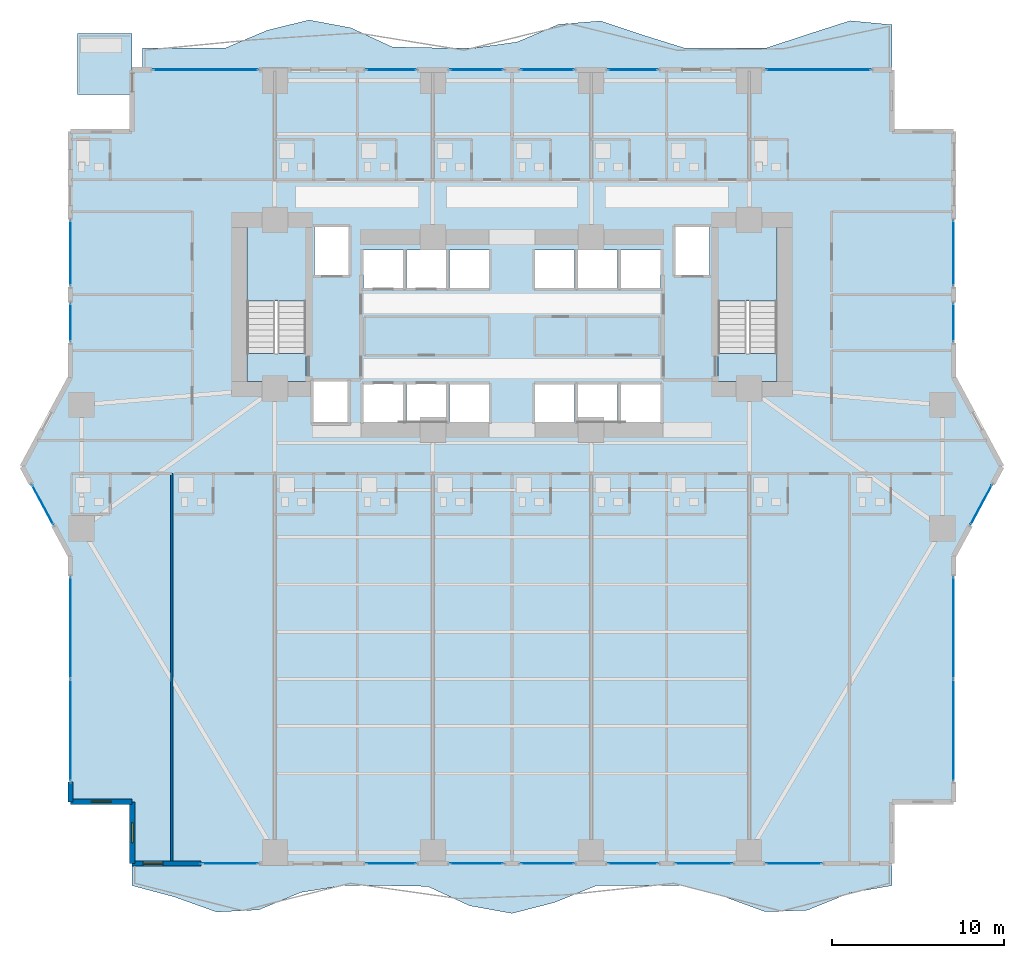
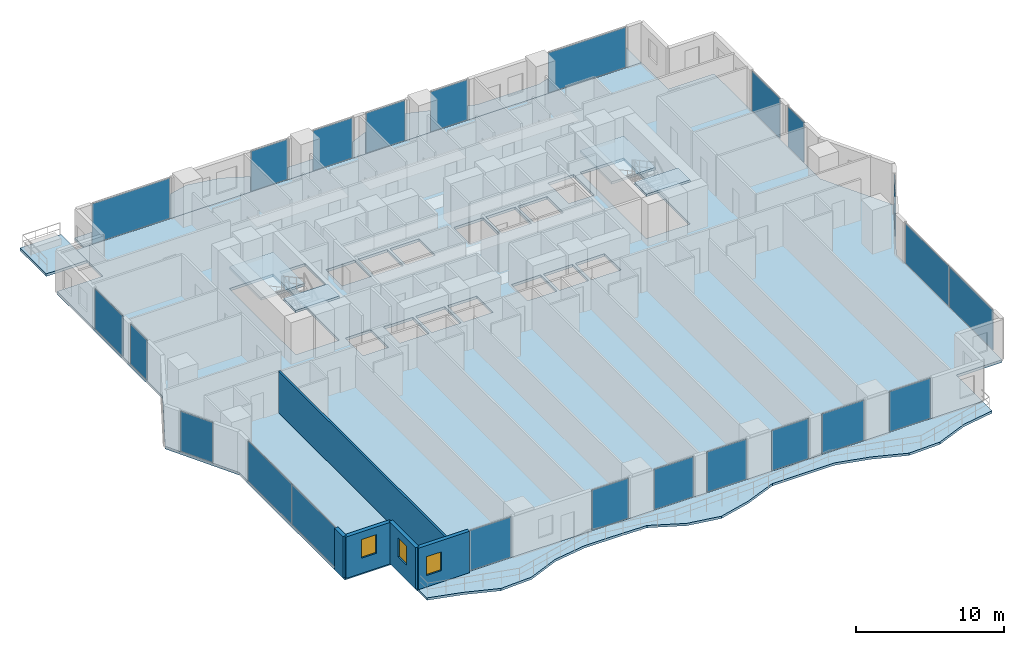
# One storey, part 18 of 29: 23 plates, 8 slabs, 5 walls, 3 windows, 3 openings, 23 elements without a shape of their own.
"""IFC4 building model written with IfcOpenShell, lengths in metres."""

from ifc_helpers import new_model, si_unit, direction, frame, frame_2d, origin, origin_2d, place, context, subcontext, project, spatial, polyline, rectangle, outline, extrude, material, layer, layer_set, type_object, element, fill, aggregate, save


model = new_model("IFC4")

# Units and contexts
model_context = context("Model", 3, precision=1e-05, world=origin(), true_north=direction((0.0, 1.0)))
body_context = subcontext(model_context, "Body", "Model", "MODEL_VIEW")
ifc_project = project(units=[si_unit("LENGTHUNIT", "METRE"), si_unit("AREAUNIT", "SQUARE_METRE"), si_unit("VOLUMEUNIT", "CUBIC_METRE"), si_unit("PLANEANGLEUNIT", "RADIAN"), si_unit("MASSUNIT", "GRAM", prefix="KILO")], contexts=[model_context])

# Site, building, storey
site_placement = place(None, origin())
site = spatial("IfcSite", under=ifc_project, at=site_placement, CompositionType="ELEMENT")
building_placement = place(site_placement, origin())
building = spatial("IfcBuilding", under=site, at=building_placement, Name="Zuhayl Quay Hotel", CompositionType="ELEMENT")
storey_placement = place(building_placement, frame((0.0, 0.0, 60.449951171875)))
storey = spatial("IfcBuildingStorey", under=building, at=storey_placement, Name="L14", CompositionType="ELEMENT", Elevation=60.449951171875)

# Curtain wall, plates
ifc_material_1 = material(Name="Anodised Aluminium 6063-T6", Category="aluminium")
ifc_layer_1 = layer(ifc_material_1, 0.18994140625, Name="Anodised Aluminium 6063-T6", Category="aluminium")
ifc_layer_set_1 = layer_set([ifc_layer_1], Name="Anodised Aluminium 6063-T6")
curtain_wall_type = type_object("IfcCurtainWallType", Name="CW_SYS_Z1", PredefinedType="USERDEFINED", material=ifc_layer_set_1)
curtain_wall_1_placement = place(storey_placement, origin())
curtain_wall_1 = element("IfcCurtainWall", 1, at=curtain_wall_1_placement, inside=storey, type_object=curtain_wall_type, Name="L14 Curtain Wall ENV_L14_E02_CW1", ObjectType="UNITISED CURTAIN WALL", PredefinedType="USERDEFINED")
ifc_material_2 = material(Name="Dark Ceramic-Fritted Solar Glass", Category="glass")
ifc_layer_2 = layer(ifc_material_2, 0.035888671875, Name="Dark Ceramic-Fritted Solar Glass", Category="glass")
ifc_layer_set_2 = layer_set([ifc_layer_2], Name="Dark Ceramic-Fritted Solar Glass")
plate_type = type_object("IfcPlateType", Name="PN_DARK_FRIT_Z1", PredefinedType="CURTAIN_PANEL", material=ifc_layer_set_2)
plate_1_placement = place(storey_placement, frame((-25.699951171875, -15.331298828125, 0.06005859375), z_axis=(0.0, 0.0, 1.0), x_axis=(0.0, 1.0, 0.0)))
plate_1 = element("IfcPlate", 2, at=plate_1_placement, type_object=plate_type, Name="CW-Z1 panel 1.1", PredefinedType="CURTAIN_PANEL", context=body_context, shape_type="SweptSolid", body=[
    extrude(rectangle(XDim=5.887451171875, YDim=0.035888671875, at=origin_2d()), origin(), (0.0, 0.0, 1.0), 3.31005859375),
])
plate_2_placement = place(storey_placement, frame((-25.699951171875, -9.36865234375, 0.06005859375), z_axis=(0.0, 0.0, 1.0), x_axis=(0.0, 1.0, 0.0)))
plate_2 = element("IfcPlate", 3, at=plate_2_placement, type_object=plate_type, Name="CW-Z1 panel 2.1", PredefinedType="CURTAIN_PANEL", context=body_context, shape_type="SweptSolid", body=[
    extrude(rectangle(XDim=5.887451171875, YDim=0.035888671875, at=origin_2d()), origin(), (0.0, 0.0, 1.0), 3.31005859375),
])
aggregate(curtain_wall_1, [plate_1, plate_2])

# Curtain wall, plate
curtain_wall_2_placement = place(storey_placement, origin())
curtain_wall_2 = element("IfcCurtainWall", 4, at=curtain_wall_2_placement, inside=storey, type_object=curtain_wall_type, Name="L14 Curtain Wall ENV_L14_E03_CW1", ObjectType="UNITISED CURTAIN WALL", PredefinedType="USERDEFINED")
plate_3_placement = place(storey_placement, frame((-27.306396484375, -2.216796875, 0.06005859375), z_axis=(0.0, 0.0, 1.0), x_axis=(-0.474091102632, 0.880475795468, 0.0)))
plate_3 = element("IfcPlate", 5, at=plate_3_placement, type_object=plate_type, Name="CW-Z1 panel 1.1", PredefinedType="CURTAIN_PANEL", context=body_context, shape_type="SweptSolid", body=[
    extrude(rectangle(XDim=2.58544921875, YDim=0.035888671875, at=origin_2d()), origin(), (0.0, 0.0, 1.0), 3.31005859375),
])
aggregate(curtain_wall_2, [plate_3])

curtain_wall_3_placement = place(storey_placement, origin())
curtain_wall_3 = element("IfcCurtainWall", 6, at=curtain_wall_3_placement, inside=storey, type_object=curtain_wall_type, Name="L14 Curtain Wall ENV_L14_E05_CW1", ObjectType="UNITISED CURTAIN WALL", PredefinedType="USERDEFINED")
plate_4_placement = place(storey_placement, frame((-25.699951171875, 8.385009765625, 0.06005859375), z_axis=(0.0, 0.0, 1.0), x_axis=(0.0, 1.0, 0.0)))
plate_4 = element("IfcPlate", 7, at=plate_4_placement, type_object=plate_type, Name="CW-Z1 panel 1.1", PredefinedType="CURTAIN_PANEL", context=body_context, shape_type="SweptSolid", body=[
    extrude(rectangle(XDim=2.219970703125, YDim=0.035888671875, at=origin_2d()), origin(), (0.0, 0.0, 1.0), 3.31005859375),
])
aggregate(curtain_wall_3, [plate_4])

curtain_wall_4_placement = place(storey_placement, origin())
curtain_wall_4 = element("IfcCurtainWall", 8, at=curtain_wall_4_placement, inside=storey, type_object=curtain_wall_type, Name="L14 Curtain Wall ENV_L14_E05_CW2", ObjectType="UNITISED CURTAIN WALL", PredefinedType="USERDEFINED")
plate_5_placement = place(storey_placement, frame((-25.699951171875, 12.43505859375, 0.06005859375), z_axis=(0.0, 0.0, 1.0), x_axis=(0.0, 1.0, 0.0)))
plate_5 = element("IfcPlate", 9, at=plate_5_placement, type_object=plate_type, Name="CW-Z1 panel 1.1", PredefinedType="CURTAIN_PANEL", context=body_context, shape_type="SweptSolid", body=[
    extrude(rectangle(XDim=3.780029296875, YDim=0.035888671875, at=origin_2d()), origin(), (0.0, 0.0, 1.0), 3.31005859375),
])
aggregate(curtain_wall_4, [plate_5])

curtain_wall_5_placement = place(storey_placement, origin())
curtain_wall_5 = element("IfcCurtainWall", 10, at=curtain_wall_5_placement, inside=storey, type_object=curtain_wall_type, Name="L14 Curtain Wall ENV_L14_N_CW1", ObjectType="UNITISED CURTAIN WALL", PredefinedType="USERDEFINED")
plate_6_placement = place(storey_placement, frame((-17.8349609375, 23.10009765625, 0.06005859375), z_axis=(0.0, 0.0, 1.0), x_axis=(1.0, 0.0, 0.0)))
plate_6 = element("IfcPlate", 11, at=plate_6_placement, type_object=plate_type, Name="CW-Z1 panel 1.1", PredefinedType="CURTAIN_PANEL", context=body_context, shape_type="SweptSolid", body=[
    extrude(rectangle(XDim=6.080078125, YDim=0.035888671875, at=origin_2d()), origin(), (0.0, 0.0, 1.0), 3.31005859375),
])
aggregate(curtain_wall_5, [plate_6])

curtain_wall_6_placement = place(storey_placement, origin())
curtain_wall_6 = element("IfcCurtainWall", 12, at=curtain_wall_6_placement, inside=storey, type_object=curtain_wall_type, Name="L14 Curtain Wall ENV_L14_N_CW2", ObjectType="UNITISED CURTAIN WALL", PredefinedType="USERDEFINED")
plate_7_placement = place(storey_placement, frame((-7.034912109375, 23.10009765625, 0.06005859375), z_axis=(0.0, 0.0, 1.0), x_axis=(1.0, 0.0, 0.0)))
plate_7 = element("IfcPlate", 13, at=plate_7_placement, type_object=plate_type, Name="CW-Z1 panel 1.1", PredefinedType="CURTAIN_PANEL", context=body_context, shape_type="SweptSolid", body=[
    extrude(rectangle(XDim=2.8798828125, YDim=0.035888671875, at=origin_2d()), origin(), (0.0, 0.0, 1.0), 3.31005859375),
])
aggregate(curtain_wall_6, [plate_7])

curtain_wall_7_placement = place(storey_placement, origin())
curtain_wall_7 = element("IfcCurtainWall", 14, at=curtain_wall_7_placement, inside=storey, type_object=curtain_wall_type, Name="L14 Curtain Wall ENV_L14_N_CW3", ObjectType="UNITISED CURTAIN WALL", PredefinedType="USERDEFINED")
plate_8_placement = place(storey_placement, frame((-2.06494140625, 23.10009765625, 0.06005859375), z_axis=(0.0, 0.0, 1.0), x_axis=(1.0, 0.0, 0.0)))
plate_8 = element("IfcPlate", 15, at=plate_8_placement, type_object=plate_type, Name="CW-Z1 panel 1.1", PredefinedType="CURTAIN_PANEL", context=body_context, shape_type="SweptSolid", body=[
    extrude(rectangle(XDim=3.080078125, YDim=0.035888671875, at=origin_2d()), origin(), (0.0, 0.0, 1.0), 3.31005859375),
])
aggregate(curtain_wall_7, [plate_8])

curtain_wall_8_placement = place(storey_placement, origin())
curtain_wall_8 = element("IfcCurtainWall", 16, at=curtain_wall_8_placement, inside=storey, type_object=curtain_wall_type, Name="L14 Curtain Wall ENV_L14_N_CW4", ObjectType="UNITISED CURTAIN WALL", PredefinedType="USERDEFINED")
plate_9_placement = place(storey_placement, frame((2.06494140625, 23.10009765625, 0.06005859375), z_axis=(0.0, 0.0, 1.0), x_axis=(1.0, 0.0, 0.0)))
plate_9 = element("IfcPlate", 17, at=plate_9_placement, type_object=plate_type, Name="CW-Z1 panel 1.1", PredefinedType="CURTAIN_PANEL", context=body_context, shape_type="SweptSolid", body=[
    extrude(rectangle(XDim=3.080078125, YDim=0.035888671875, at=origin_2d()), origin(), (0.0, 0.0, 1.0), 3.31005859375),
])
aggregate(curtain_wall_8, [plate_9])

curtain_wall_9_placement = place(storey_placement, origin())
curtain_wall_9 = element("IfcCurtainWall", 18, at=curtain_wall_9_placement, inside=storey, type_object=curtain_wall_type, Name="L14 Curtain Wall ENV_L14_N_CW5", ObjectType="UNITISED CURTAIN WALL", PredefinedType="USERDEFINED")
plate_10_placement = place(storey_placement, frame((7.034912109375, 23.10009765625, 0.06005859375), z_axis=(0.0, 0.0, 1.0), x_axis=(1.0, 0.0, 0.0)))
plate_10 = element("IfcPlate", 19, at=plate_10_placement, type_object=plate_type, Name="CW-Z1 panel 1.1", PredefinedType="CURTAIN_PANEL", context=body_context, shape_type="SweptSolid", body=[
    extrude(rectangle(XDim=2.8798828125, YDim=0.035888671875, at=origin_2d()), origin(), (0.0, 0.0, 1.0), 3.31005859375),
])
aggregate(curtain_wall_9, [plate_10])

curtain_wall_10_placement = place(storey_placement, origin())
curtain_wall_10 = element("IfcCurtainWall", 20, at=curtain_wall_10_placement, inside=storey, type_object=curtain_wall_type, Name="L14 Curtain Wall ENV_L14_N_CW6", ObjectType="UNITISED CURTAIN WALL", PredefinedType="USERDEFINED")
plate_11_placement = place(storey_placement, frame((17.8349609375, 23.10009765625, 0.06005859375), z_axis=(0.0, 0.0, 1.0), x_axis=(1.0, 0.0, 0.0)))
plate_11 = element("IfcPlate", 21, at=plate_11_placement, type_object=plate_type, Name="CW-Z1 panel 1.1", PredefinedType="CURTAIN_PANEL", context=body_context, shape_type="SweptSolid", body=[
    extrude(rectangle(XDim=6.080078125, YDim=0.035888671875, at=origin_2d()), origin(), (0.0, 0.0, 1.0), 3.31005859375),
])
aggregate(curtain_wall_10, [plate_11])

curtain_wall_11_placement = place(storey_placement, origin())
curtain_wall_11 = element("IfcCurtainWall", 22, at=curtain_wall_11_placement, inside=storey, type_object=curtain_wall_type, Name="L14 Curtain Wall ENV_L14_E11_CW1", ObjectType="UNITISED CURTAIN WALL", PredefinedType="USERDEFINED")
plate_12_placement = place(storey_placement, frame((25.699951171875, 12.43505859375, 0.06005859375), z_axis=(0.0, 0.0, 1.0), x_axis=(0.0, -1.0, 0.0)))
plate_12 = element("IfcPlate", 23, at=plate_12_placement, type_object=plate_type, Name="CW-Z1 panel 1.1", PredefinedType="CURTAIN_PANEL", context=body_context, shape_type="SweptSolid", body=[
    extrude(rectangle(XDim=3.780029296875, YDim=0.035888671875, at=origin_2d()), origin(), (0.0, 0.0, 1.0), 3.31005859375),
])
aggregate(curtain_wall_11, [plate_12])

curtain_wall_12_placement = place(storey_placement, origin())
curtain_wall_12 = element("IfcCurtainWall", 24, at=curtain_wall_12_placement, inside=storey, type_object=curtain_wall_type, Name="L14 Curtain Wall ENV_L14_E11_CW2", ObjectType="UNITISED CURTAIN WALL", PredefinedType="USERDEFINED")
plate_13_placement = place(storey_placement, frame((25.699951171875, 8.385009765625, 0.06005859375), z_axis=(0.0, 0.0, 1.0), x_axis=(0.0, -1.0, 0.0)))
plate_13 = element("IfcPlate", 25, at=plate_13_placement, type_object=plate_type, Name="CW-Z1 panel 1.1", PredefinedType="CURTAIN_PANEL", context=body_context, shape_type="SweptSolid", body=[
    extrude(rectangle(XDim=2.219970703125, YDim=0.035888671875, at=origin_2d()), origin(), (0.0, 0.0, 1.0), 3.31005859375),
])
aggregate(curtain_wall_12, [plate_13])

curtain_wall_13_placement = place(storey_placement, origin())
curtain_wall_13 = element("IfcCurtainWall", 26, at=curtain_wall_13_placement, inside=storey, type_object=curtain_wall_type, Name="L14 Curtain Wall ENV_L14_E13_CW1", ObjectType="UNITISED CURTAIN WALL", PredefinedType="USERDEFINED")
plate_14_placement = place(storey_placement, frame((27.306396484375, -2.216796875, 0.06005859375), z_axis=(0.0, 0.0, 1.0), x_axis=(-0.474091102632, -0.880475795468, 0.0)))
plate_14 = element("IfcPlate", 27, at=plate_14_placement, type_object=plate_type, Name="CW-Z1 panel 1.1", PredefinedType="CURTAIN_PANEL", context=body_context, shape_type="SweptSolid", body=[
    extrude(rectangle(XDim=2.58544921875, YDim=0.035888671875, at=origin_2d()), origin(), (0.0, 0.0, 1.0), 3.31005859375),
])
aggregate(curtain_wall_13, [plate_14])

# Curtain wall, plates
curtain_wall_14_placement = place(storey_placement, origin())
curtain_wall_14 = element("IfcCurtainWall", 28, at=curtain_wall_14_placement, inside=storey, type_object=curtain_wall_type, Name="L14 Curtain Wall ENV_L14_E14_CW1", ObjectType="UNITISED CURTAIN WALL", PredefinedType="USERDEFINED")
plate_15_placement = place(storey_placement, frame((25.699951171875, -9.36865234375, 0.06005859375), z_axis=(0.0, 0.0, 1.0), x_axis=(0.0, -1.0, 0.0)))
plate_15 = element("IfcPlate", 29, at=plate_15_placement, type_object=plate_type, Name="CW-Z1 panel 1.1", PredefinedType="CURTAIN_PANEL", context=body_context, shape_type="SweptSolid", body=[
    extrude(rectangle(XDim=5.887451171875, YDim=0.035888671875, at=origin_2d()), origin(), (0.0, 0.0, 1.0), 3.31005859375),
])
plate_16_placement = place(storey_placement, frame((25.699951171875, -15.331298828125, 0.06005859375), z_axis=(0.0, 0.0, 1.0), x_axis=(0.0, -1.0, 0.0)))
plate_16 = element("IfcPlate", 30, at=plate_16_placement, type_object=plate_type, Name="CW-Z1 panel 2.1", PredefinedType="CURTAIN_PANEL", context=body_context, shape_type="SweptSolid", body=[
    extrude(rectangle(XDim=5.887451171875, YDim=0.035888671875, at=origin_2d()), origin(), (0.0, 0.0, 1.0), 3.31005859375),
])
aggregate(curtain_wall_14, [plate_15, plate_16])

# Curtain wall, plate
curtain_wall_15_placement = place(storey_placement, origin())
curtain_wall_15 = element("IfcCurtainWall", 31, at=curtain_wall_15_placement, inside=storey, type_object=curtain_wall_type, Name="L14 Curtain Wall ENV_L14_S_CW1", ObjectType="UNITISED CURTAIN WALL", PredefinedType="USERDEFINED")
plate_17_placement = place(storey_placement, frame((16.409912109375, -23.10009765625, 0.06005859375), z_axis=(0.0, 0.0, 1.0), x_axis=(-1.0, 0.0, 0.0)))
plate_17 = element("IfcPlate", 32, at=plate_17_placement, type_object=plate_type, Name="CW-Z1 panel 1.1", PredefinedType="CURTAIN_PANEL", context=body_context, shape_type="SweptSolid", body=[
    extrude(rectangle(XDim=3.22998046875, YDim=0.035888671875, at=origin_2d()), origin(), (0.0, 0.0, 1.0), 3.31005859375),
])
aggregate(curtain_wall_15, [plate_17])

curtain_wall_16_placement = place(storey_placement, origin())
curtain_wall_16 = element("IfcCurtainWall", 33, at=curtain_wall_16_placement, inside=storey, type_object=curtain_wall_type, Name="L14 Curtain Wall ENV_L14_S_CW2", ObjectType="UNITISED CURTAIN WALL", PredefinedType="USERDEFINED")
plate_18_placement = place(storey_placement, frame((11.1650390625, -23.10009765625, 0.06005859375), z_axis=(0.0, 0.0, 1.0), x_axis=(-1.0, 0.0, 0.0)))
plate_18 = element("IfcPlate", 34, at=plate_18_placement, type_object=plate_type, Name="CW-Z1 panel 1.1", PredefinedType="CURTAIN_PANEL", context=body_context, shape_type="SweptSolid", body=[
    extrude(rectangle(XDim=3.280029296875, YDim=0.035888671875, at=origin_2d()), origin(), (0.0, 0.0, 1.0), 3.31005859375),
])
aggregate(curtain_wall_16, [plate_18])

curtain_wall_17_placement = place(storey_placement, origin())
curtain_wall_17 = element("IfcCurtainWall", 35, at=curtain_wall_17_placement, inside=storey, type_object=curtain_wall_type, Name="L14 Curtain Wall ENV_L14_S_CW3", ObjectType="UNITISED CURTAIN WALL", PredefinedType="USERDEFINED")
plate_19_placement = place(storey_placement, frame((7.034912109375, -23.10009765625, 0.06005859375), z_axis=(0.0, 0.0, 1.0), x_axis=(-1.0, 0.0, 0.0)))
plate_19 = element("IfcPlate", 36, at=plate_19_placement, type_object=plate_type, Name="CW-Z1 panel 1.1", PredefinedType="CURTAIN_PANEL", context=body_context, shape_type="SweptSolid", body=[
    extrude(rectangle(XDim=2.8798828125, YDim=0.035888671875, at=origin_2d()), origin(), (0.0, 0.0, 1.0), 3.31005859375),
])
aggregate(curtain_wall_17, [plate_19])

curtain_wall_18_placement = place(storey_placement, origin())
curtain_wall_18 = element("IfcCurtainWall", 37, at=curtain_wall_18_placement, inside=storey, type_object=curtain_wall_type, Name="L14 Curtain Wall ENV_L14_S_CW4", ObjectType="UNITISED CURTAIN WALL", PredefinedType="USERDEFINED")
plate_20_placement = place(storey_placement, frame((2.06494140625, -23.10009765625, 0.06005859375), z_axis=(0.0, 0.0, 1.0), x_axis=(-1.0, 0.0, 0.0)))
plate_20 = element("IfcPlate", 38, at=plate_20_placement, type_object=plate_type, Name="CW-Z1 panel 1.1", PredefinedType="CURTAIN_PANEL", context=body_context, shape_type="SweptSolid", body=[
    extrude(rectangle(XDim=3.080078125, YDim=0.035888671875, at=origin_2d()), origin(), (0.0, 0.0, 1.0), 3.31005859375),
])
aggregate(curtain_wall_18, [plate_20])

curtain_wall_19_placement = place(storey_placement, origin())
curtain_wall_19 = element("IfcCurtainWall", 39, at=curtain_wall_19_placement, inside=storey, type_object=curtain_wall_type, Name="L14 Curtain Wall ENV_L14_S_CW5", ObjectType="UNITISED CURTAIN WALL", PredefinedType="USERDEFINED")
plate_21_placement = place(storey_placement, frame((-2.06494140625, -23.10009765625, 0.06005859375), z_axis=(0.0, 0.0, 1.0), x_axis=(-1.0, 0.0, 0.0)))
plate_21 = element("IfcPlate", 40, at=plate_21_placement, type_object=plate_type, Name="CW-Z1 panel 1.1", PredefinedType="CURTAIN_PANEL", context=body_context, shape_type="SweptSolid", body=[
    extrude(rectangle(XDim=3.080078125, YDim=0.035888671875, at=origin_2d()), origin(), (0.0, 0.0, 1.0), 3.31005859375),
])
aggregate(curtain_wall_19, [plate_21])

curtain_wall_20_placement = place(storey_placement, origin())
curtain_wall_20 = element("IfcCurtainWall", 41, at=curtain_wall_20_placement, inside=storey, type_object=curtain_wall_type, Name="L14 Curtain Wall ENV_L14_S_CW6", ObjectType="UNITISED CURTAIN WALL", PredefinedType="USERDEFINED")
plate_22_placement = place(storey_placement, frame((-7.034912109375, -23.10009765625, 0.06005859375), z_axis=(0.0, 0.0, 1.0), x_axis=(-1.0, 0.0, 0.0)))
plate_22 = element("IfcPlate", 42, at=plate_22_placement, type_object=plate_type, Name="CW-Z1 panel 1.1", PredefinedType="CURTAIN_PANEL", context=body_context, shape_type="SweptSolid", body=[
    extrude(rectangle(XDim=2.8798828125, YDim=0.035888671875, at=origin_2d()), origin(), (0.0, 0.0, 1.0), 3.31005859375),
])
aggregate(curtain_wall_20, [plate_22])

curtain_wall_21_placement = place(storey_placement, origin())
curtain_wall_21 = element("IfcCurtainWall", 43, at=curtain_wall_21_placement, inside=storey, type_object=curtain_wall_type, Name="L14 Curtain Wall ENV_L14_S_CW7", ObjectType="UNITISED CURTAIN WALL", PredefinedType="USERDEFINED")
plate_23_placement = place(storey_placement, frame((-16.409912109375, -23.10009765625, 0.06005859375), z_axis=(0.0, 0.0, 1.0), x_axis=(-1.0, 0.0, 0.0)))
plate_23 = element("IfcPlate", 44, at=plate_23_placement, type_object=plate_type, Name="CW-Z1 panel 1.1", PredefinedType="CURTAIN_PANEL", context=body_context, shape_type="SweptSolid", body=[
    extrude(rectangle(XDim=3.22998046875, YDim=0.035888671875, at=origin_2d()), origin(), (0.0, 0.0, 1.0), 3.31005859375),
])
aggregate(curtain_wall_21, [plate_23])

# Slabs
ifc_material_3 = material(Name="Concrete C45/55", Category="concrete")
ifc_layer_3 = layer(ifc_material_3, 0.195068359375, Name="Concrete C45/55", Category="concrete")
ifc_layer_set_3 = layer_set([ifc_layer_3], Name="Concrete C45/55")
slab_type_1 = type_object("IfcSlabType", Name="SL_BALCONY_195", PredefinedType="FLOOR", material=ifc_layer_set_3)
slab_1_placement = place(storey_placement, frame((0.0, 0.0, -0.195068359375)))
element("IfcSlab", 45, at=slab_1_placement, inside=storey, type_object=slab_type_1, Name="L14 Exterior Rippling Balcony Slab North", PredefinedType="FLOOR", context=body_context, shape_type="SweptSolid", body=[
    extrude(outline(polyline([(-21.5, 23.10009765625), (22.10009765625, 23.10009765625), (22.10009765625, 25.721435546875), (19.677734375, 25.95458984375), (17.255615234375, 25.177490234375), (14.833251953125, 24.3798828125), (12.4111328125, 24.3798828125), (9.989013671875, 24.3798828125), (7.566650390625, 25.13623046875), (5.144287109375, 25.942138671875), (2.72216796875, 25.748291015625), (0.300048828125, 24.71728515625), (-2.122314453125, 24.3798828125), (-4.54443359375, 24.3798828125), (-6.966796875, 24.426513671875), (-9.388916015625, 25.545166015625), (-11.81103515625, 25.9970703125), (-14.2333984375, 25.403076171875), (-16.655517578125, 24.3798828125), (-19.077880859375, 24.3798828125), (-21.5, 24.3798828125), (-21.5, 23.10009765625)])), origin(), (0.0, 0.0, 1.0), 0.195068359375),
])
slab_2_placement = place(storey_placement, frame((0.0, 0.0, -0.195068359375)))
element("IfcSlab", 46, at=slab_2_placement, inside=storey, type_object=slab_type_1, Name="L14 Exterior Rippling Balcony Slab South", PredefinedType="FLOOR", context=body_context, shape_type="SweptSolid", body=[
    extrude(outline(polyline([(-22.10009765625, -24.3798828125), (-19.644287109375, -25.03662109375), (-17.18896484375, -25.9130859375), (-14.7333984375, -25.789306640625), (-12.27783203125, -24.771728515625), (-9.822265625, -24.3798828125), (-7.36669921875, -24.3798828125), (-4.9111328125, -24.421142578125), (-2.45556640625, -25.553466796875), (0.0, -25.994873046875), (2.45556640625, -25.365478515625), (4.9111328125, -24.3798828125), (7.36669921875, -24.3798828125), (9.822265625, -24.3798828125), (12.27783203125, -24.999267578125), (14.7333984375, -25.8984375), (17.18896484375, -25.81005859375), (19.644287109375, -24.81005859375), (22.10009765625, -24.3798828125), (22.10009765625, -23.10009765625), (-22.10009765625, -23.10009765625), (-22.10009765625, -24.3798828125)])), origin(), (0.0, 0.0, 1.0), 0.195068359375),
])
ifc_layer_4 = layer(ifc_material_3, 0.219970703125, Name="Concrete C45/55", Category="concrete")
ifc_layer_set_4 = layer_set([ifc_layer_4], Name="Concrete C45/55")
slab_type_2 = type_object("IfcSlabType", Name="SL_FLOOR_220", PredefinedType="FLOOR", material=ifc_layer_set_4)
slab_3_placement = place(storey_placement, frame((0.0, 0.0, -0.219970703125)))
element("IfcSlab", 47, at=slab_3_placement, inside=storey, type_object=slab_type_2, Name="L14 Structural Floor Slab", PredefinedType="FLOOR", context=body_context, shape_type="SweptSolid", body=[
    extrude(outline(polyline([(-22.10009765625, -23.10009765625), (22.10009765625, -23.10009765625), (22.10009765625, -19.5), (25.699951171875, -19.5), (25.699951171875, -5.199951171875), (28.5, 0.0), (25.699951171875, 5.199951171875), (25.699951171875, 19.5), (22.10009765625, 19.5), (22.10009765625, 23.10009765625), (-22.10009765625, 23.10009765625), (-22.10009765625, 19.5), (-25.699951171875, 19.5), (-25.699951171875, 5.199951171875), (-28.5, 0.0), (-25.699951171875, -5.199951171875), (-25.699951171875, -19.5), (-22.10009765625, -19.5), (-22.10009765625, -23.10009765625)]), holes=[polyline([(-12.0, 4.949951171875), (-12.0, 13.949951171875), (-15.429931640625, 13.949951171875), (-15.429931640625, 4.949951171875), (-12.0, 4.949951171875)]), polyline([(15.429931640625, 4.949951171875), (15.429931640625, 13.949951171875), (12.0, 13.949951171875), (12.0, 4.949951171875), (15.429931640625, 4.949951171875)]), polyline([(-11.5, 11.14990234375), (-9.5, 11.14990234375), (-9.5, 13.949951171875), (-11.5, 13.949951171875), (-11.5, 11.14990234375)]), polyline([(9.5, 11.14990234375), (11.5, 11.14990234375), (11.5, 13.949951171875), (9.5, 13.949951171875), (9.5, 11.14990234375)]), polyline([(-8.64990234375, 2.60009765625), (-6.35009765625, 2.60009765625), (-6.35009765625, 4.800048828125), (-8.64990234375, 4.800048828125), (-8.64990234375, 2.60009765625)]), polyline([(-6.14990234375, 2.60009765625), (-3.85009765625, 2.60009765625), (-3.85009765625, 4.800048828125), (-6.14990234375, 4.800048828125), (-6.14990234375, 2.60009765625)]), polyline([(-8.64990234375, 10.39990234375), (-6.35009765625, 10.39990234375), (-6.35009765625, 12.60009765625), (-8.64990234375, 12.60009765625), (-8.64990234375, 10.39990234375)]), polyline([(-6.14990234375, 10.39990234375), (-3.85009765625, 10.39990234375), (-3.85009765625, 12.60009765625), (-6.14990234375, 12.60009765625), (-6.14990234375, 10.39990234375)]), polyline([(-3.64990234375, 2.60009765625), (-1.35009765625, 2.60009765625), (-1.35009765625, 4.800048828125), (-3.64990234375, 4.800048828125), (-3.64990234375, 2.60009765625)]), polyline([(1.35009765625, 2.60009765625), (3.64990234375, 2.60009765625), (3.64990234375, 4.800048828125), (1.35009765625, 4.800048828125), (1.35009765625, 2.60009765625)]), polyline([(-3.64990234375, 10.39990234375), (-1.35009765625, 10.39990234375), (-1.35009765625, 12.60009765625), (-3.64990234375, 12.60009765625), (-3.64990234375, 10.39990234375)]), polyline([(1.35009765625, 10.39990234375), (3.64990234375, 10.39990234375), (3.64990234375, 12.60009765625), (1.35009765625, 12.60009765625), (1.35009765625, 10.39990234375)]), polyline([(3.85009765625, 2.60009765625), (6.14990234375, 2.60009765625), (6.14990234375, 4.800048828125), (3.85009765625, 4.800048828125), (3.85009765625, 2.60009765625)]), polyline([(6.35009765625, 2.60009765625), (8.64990234375, 2.60009765625), (8.64990234375, 4.800048828125), (6.35009765625, 4.800048828125), (6.35009765625, 2.60009765625)]), polyline([(3.85009765625, 10.39990234375), (6.14990234375, 10.39990234375), (6.14990234375, 12.60009765625), (3.85009765625, 12.60009765625), (3.85009765625, 10.39990234375)]), polyline([(6.35009765625, 10.39990234375), (8.64990234375, 10.39990234375), (8.64990234375, 12.60009765625), (6.35009765625, 12.60009765625), (6.35009765625, 10.39990234375)]), polyline([(-11.550048828125, 2.550048828125), (-9.550048828125, 2.550048828125), (-9.550048828125, 4.949951171875), (-11.550048828125, 4.949951171875), (-11.550048828125, 2.550048828125)])]), origin(), (0.0, 0.0, 1.0), 0.219970703125),
])

# Stair, slabs
stair_type = type_object("IfcStairType", Name="ST_DOGLEG_TOWER", PredefinedType="HALF_TURN_STAIR", material=ifc_material_3)
stair_1_placement = place(storey_placement, origin())
stair_1 = element("IfcStair", 48, at=stair_1_placement, inside=storey, type_object=stair_type, Name="L14 Smokeproof Exit Stair ST1", PredefinedType="HALF_TURN_STAIR")
ifc_layer_5 = layer(ifc_material_3, 0.199951171875, Name="Concrete C45/55", Category="concrete")
ifc_layer_set_5 = layer_set([ifc_layer_5], Name="Concrete C45/55")
slab_type_3 = type_object("IfcSlabType", Name="SL_STAIR_LANDING_200", PredefinedType="LANDING", material=ifc_layer_set_5)
slab_4_placement = place(storey_placement, frame((0.0, 0.0, 1.625)))
slab_4 = element("IfcSlab", 49, at=slab_4_placement, type_object=slab_type_3, Name="ST1 landing 1", PredefinedType="LANDING", context=body_context, shape_type="SweptSolid", body=[
    extrude(outline(polyline([(-12.0, 9.64990234375), (-12.0, 13.949951171875), (-15.429931640625, 13.949951171875), (-15.429931640625, 9.64990234375), (-12.0, 9.64990234375)])), origin(), (0.0, 0.0, 1.0), 0.199951171875),
])
slab_5_placement = place(storey_placement, frame((0.0, 0.0, 3.449951171875)))
slab_5 = element("IfcSlab", 50, at=slab_5_placement, type_object=slab_type_3, Name="ST1 landing 2", PredefinedType="LANDING", context=body_context, shape_type="SweptSolid", body=[
    extrude(outline(polyline([(-12.0, 4.949951171875), (-12.0, 6.590087890625), (-15.429931640625, 6.590087890625), (-15.429931640625, 4.949951171875), (-12.0, 4.949951171875)])), origin(), (0.0, 0.0, 1.0), 0.2001953125),
])
aggregate(stair_1, [slab_4, slab_5])

stair_2_placement = place(storey_placement, origin())
stair_2 = element("IfcStair", 51, at=stair_2_placement, inside=storey, type_object=stair_type, Name="L14 Smokeproof Exit Stair ST2", PredefinedType="HALF_TURN_STAIR")
slab_6_placement = place(storey_placement, frame((0.0, 0.0, 1.625)))
slab_6 = element("IfcSlab", 52, at=slab_6_placement, type_object=slab_type_3, Name="ST2 landing 1", PredefinedType="LANDING", context=body_context, shape_type="SweptSolid", body=[
    extrude(outline(polyline([(15.429931640625, 9.64990234375), (15.429931640625, 13.949951171875), (12.0, 13.949951171875), (12.0, 9.64990234375), (15.429931640625, 9.64990234375)])), origin(), (0.0, 0.0, 1.0), 0.199951171875),
])
slab_7_placement = place(storey_placement, frame((0.0, 0.0, 3.449951171875)))
slab_7 = element("IfcSlab", 53, at=slab_7_placement, type_object=slab_type_3, Name="ST2 landing 2", PredefinedType="LANDING", context=body_context, shape_type="SweptSolid", body=[
    extrude(outline(polyline([(15.429931640625, 4.949951171875), (15.429931640625, 6.590087890625), (12.0, 6.590087890625), (12.0, 4.949951171875), (15.429931640625, 4.949951171875)])), origin(), (0.0, 0.0, 1.0), 0.2001953125),
])
aggregate(stair_2, [slab_6, slab_7])

# Slab
ifc_layer_6 = layer(ifc_material_3, 0.219970703125, Name="Concrete C45/55", Category="concrete")
ifc_layer_set_6 = layer_set([ifc_layer_6], Name="Concrete C45/55")
slab_type_4 = type_object("IfcSlabType", Name="SL_TERRACE_235", PredefinedType="FLOOR", material=ifc_layer_set_6)
slab_8_placement = place(storey_placement, frame((0.0, 0.0, -0.219970703125)))
element("IfcSlab", 54, at=slab_8_placement, inside=storey, type_object=slab_type_4, Name="L14 Exterior Sky-Terrace Slab L14_SPIRAL_NW", PredefinedType="FLOOR", context=body_context, shape_type="SweptSolid", body=[
    extrude(outline(polyline([(-25.300048828125, 21.64990234375), (-22.10009765625, 21.64990234375), (-22.10009765625, 25.199951171875), (-25.300048828125, 25.199951171875), (-25.300048828125, 21.64990234375)])), origin(), (0.0, 0.0, 1.0), 0.219970703125),
])

# Wall, opening, window
ifc_material_4 = material(Name="Precast concrete C45/55", Category="concrete")
ifc_layer_7 = layer(ifc_material_4, 0.300048828125, Name="Precast concrete C45/55", Category="concrete")
ifc_layer_set_7 = layer_set([ifc_layer_7], Name="Precast concrete C45/55")
wall_type_1 = type_object("IfcWallType", Name="WL_EXT_300", PredefinedType="STANDARD", material=ifc_layer_set_7)
wall_1_placement = place(storey_placement, frame((-22.10009765625, -19.5, 0.0), z_axis=(0.0, 0.0, 1.0), x_axis=(-1.0, 0.0, 0.0)))
wall_1 = element("IfcWall", 55, at=wall_1_placement, inside=storey, type_object=wall_type_1, Name="L14 Exterior Precast Wall ENV_L14_EW01", PredefinedType="STANDARD", context=body_context, shape_type="SweptSolid", body=[
    extrude(rectangle(XDim=3.599853515625, YDim=0.300048828125, at=frame_2d((1.7998046875, 0.0))), origin(), (0.0, 0.0, 1.0), 3.429931640625),
])
opening_1_placement = place(wall_1_placement, frame((1.22509765625, 0.0, 1.25)))
opening_1 = element("IfcOpeningElement", 56, at=opening_1_placement, cuts=wall_1, Name="Opening W01N", PredefinedType="OPENING", context=body_context, shape_type="SweptSolid", body=[
    extrude(rectangle(XDim=1.14990234375, YDim=1.550048828125, at=frame_2d((0.574951171875, 0.77490234375))), frame((0.0, 0.159912109375, 0.0), z_axis=(0.0, -1.0, 0.0), x_axis=(1.0, 0.0, 0.0)), (0.0, 0.0, 1.0), 0.320068359375),
])
window_type = type_object("IfcWindowType", Name="WN_NOTCH_1350", PartitioningType="SINGLE_PANEL", PredefinedType="WINDOW", material=ifc_material_2)
window_1_placement = place(opening_1_placement, origin())
window_1 = element("IfcWindow", 57, at=window_1_placement, inside=storey, type_object=window_type, Name="L14 Corner Notch Window 1", OverallHeight=1.550048828125, OverallWidth=1.14990234375, PartitioningType="SINGLE_PANEL", PredefinedType="WINDOW", context=body_context, shape_type="SweptSolid", body=[
    extrude(rectangle(XDim=1.14990234375, YDim=1.550048828125, at=frame_2d((0.574951171875, 0.77490234375))), frame((0.0, 0.030029296875, 0.0), z_axis=(0.0, -1.0, 0.0), x_axis=(1.0, 0.0, 0.0)), (0.0, 0.0, 1.0), 0.06005859375),
])
fill(opening_1, window_1)

# Wall
wall_2_placement = place(storey_placement, frame((-25.699951171875, -19.5, 0.0), z_axis=(0.0, 0.0, 1.0), x_axis=(0.0, 1.0, 0.0)))
element("IfcWall", 58, at=wall_2_placement, inside=storey, type_object=wall_type_1, Name="L14 Exterior Precast Wall ENV_L14_E02_EW1", PredefinedType="STANDARD", context=body_context, shape_type="SweptSolid", body=[
    extrude(rectangle(XDim=1.14990234375, YDim=0.300048828125, at=frame_2d((0.574951171875, 0.0))), origin(), (0.0, 0.0, 1.0), 3.429931640625),
])

# Wall, opening, window
wall_3_placement = place(storey_placement, frame((-18.10009765625, -23.10009765625, 0.0), z_axis=(0.0, 0.0, 1.0), x_axis=(-1.0, 0.0, 0.0)))
wall_3 = element("IfcWall", 59, at=wall_3_placement, inside=storey, type_object=wall_type_1, Name="L14 Exterior Precast Wall ENV_L14_S_EW8", PredefinedType="STANDARD", context=body_context, shape_type="SweptSolid", body=[
    extrude(rectangle(XDim=4.0, YDim=0.300048828125, at=frame_2d((2.0, 0.0))), origin(), (0.0, 0.0, 1.0), 3.429931640625),
])
opening_2_placement = place(wall_3_placement, frame((2.215087890625, 0.0, 0.949951171875)))
opening_2 = element("IfcOpeningElement", 60, at=opening_2_placement, cuts=wall_3, Name="Opening W01N", PredefinedType="OPENING", context=body_context, shape_type="SweptSolid", body=[
    extrude(rectangle(XDim=1.14990234375, YDim=1.550048828125, at=frame_2d((0.574951171875, 0.77490234375))), frame((0.0, 0.159912109375, 0.0), z_axis=(0.0, -1.0, 0.0), x_axis=(1.0, 0.0, 0.0)), (0.0, 0.0, 1.0), 0.320068359375),
])
window_2_placement = place(opening_2_placement, origin())
window_2 = element("IfcWindow", 61, at=window_2_placement, inside=storey, type_object=window_type, Name="L14 Operable Facade Window 8-1", OverallHeight=1.550048828125, OverallWidth=1.14990234375, PartitioningType="SINGLE_PANEL", PredefinedType="WINDOW", context=body_context, shape_type="SweptSolid", body=[
    extrude(rectangle(XDim=1.14990234375, YDim=1.550048828125, at=frame_2d((0.574951171875, 0.77490234375))), frame((0.0, 0.030029296875, 0.0), z_axis=(0.0, -1.0, 0.0), x_axis=(1.0, 0.0, 0.0)), (0.0, 0.0, 1.0), 0.06005859375),
])
fill(opening_2, window_2)

wall_4_placement = place(storey_placement, frame((-22.10009765625, -23.10009765625, 0.0), z_axis=(0.0, 0.0, 1.0), x_axis=(0.0, 1.0, 0.0)))
wall_4 = element("IfcWall", 62, at=wall_4_placement, inside=storey, type_object=wall_type_1, Name="L14 Exterior Precast Wall ENV_L14_EW18", PredefinedType="STANDARD", context=body_context, shape_type="SweptSolid", body=[
    extrude(rectangle(XDim=3.60009765625, YDim=0.300048828125, at=frame_2d((1.800048828125, 0.0))), origin(), (0.0, 0.0, 1.0), 3.429931640625),
])
opening_3_placement = place(wall_4_placement, frame((1.22509765625, 0.0, 1.25)))
opening_3 = element("IfcOpeningElement", 63, at=opening_3_placement, cuts=wall_4, Name="Opening W01N", PredefinedType="OPENING", context=body_context, shape_type="SweptSolid", body=[
    extrude(rectangle(XDim=1.14990234375, YDim=1.550048828125, at=frame_2d((0.574951171875, 0.77490234375))), frame((0.0, 0.159912109375, 0.0), z_axis=(0.0, -1.0, 0.0), x_axis=(1.0, 0.0, 0.0)), (0.0, 0.0, 1.0), 0.320068359375),
])
window_3_placement = place(opening_3_placement, origin())
window_3 = element("IfcWindow", 64, at=window_3_placement, inside=storey, type_object=window_type, Name="L14 Corner Notch Window 18", OverallHeight=1.550048828125, OverallWidth=1.14990234375, PartitioningType="SINGLE_PANEL", PredefinedType="WINDOW", context=body_context, shape_type="SweptSolid", body=[
    extrude(rectangle(XDim=1.14990234375, YDim=1.550048828125, at=frame_2d((0.574951171875, 0.77490234375))), frame((0.0, 0.030029296875, 0.0), z_axis=(0.0, -1.0, 0.0), x_axis=(1.0, 0.0, 0.0)), (0.0, 0.0, 1.0), 0.06005859375),
])
fill(opening_3, window_3)

# Wall
ifc_material_5 = material(Name="Acoustic Gypsum Partition STC-58")
ifc_layer_8 = layer(ifc_material_5, 0.14990234375, Name="Acoustic Gypsum Partition STC-58")
ifc_layer_set_8 = layer_set([ifc_layer_8], Name="Acoustic Gypsum Partition STC-58")
wall_type_2 = type_object("IfcWallType", Name="WL_PART_150", PredefinedType="PARTITIONING", material=ifc_layer_set_8)
wall_5_placement = place(storey_placement, frame((-19.800048828125, -23.02001953125, 0.0), z_axis=(0.0, 0.0, 1.0), x_axis=(0.0, 1.0, 0.0)))
element("IfcWall", 65, at=wall_5_placement, inside=storey, type_object=wall_type_2, Name="L14 Partition IW_L14_SU01A_E", PredefinedType="PARTITIONING", context=body_context, shape_type="SweptSolid", body=[
    extrude(rectangle(XDim=22.6201171875, YDim=0.14990234375, at=frame_2d((11.31005859375, 0.0))), origin(), (0.0, 0.0, 1.0), 3.429931640625),
])

save(model, "model.ifc")
